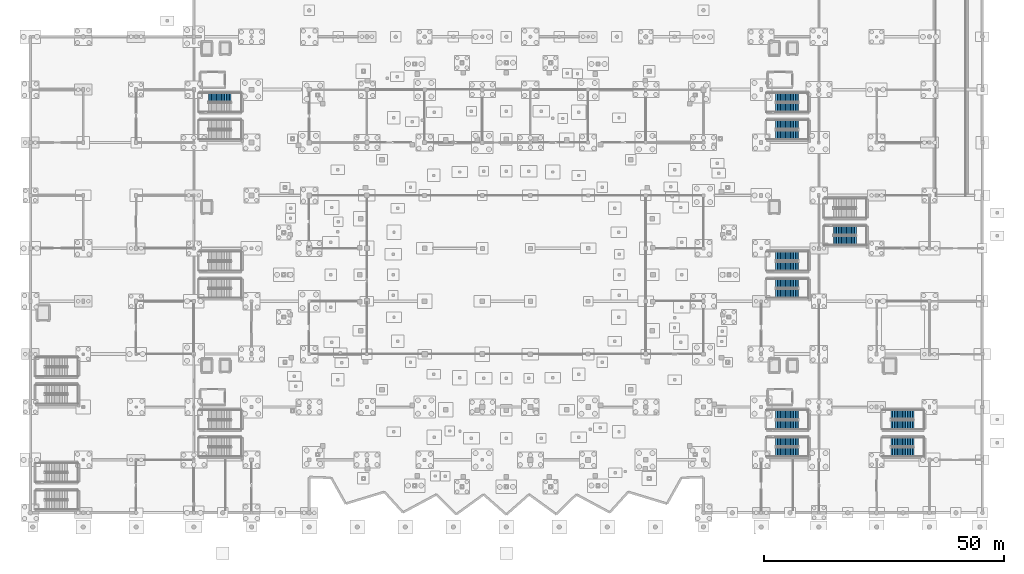
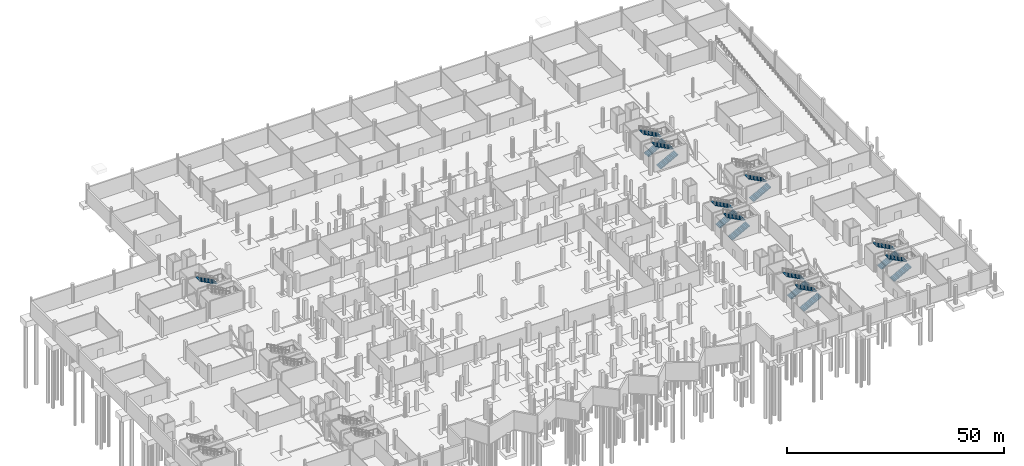
# One storey, part 45 of 60: 19 stair flights, 10 elements without a shape of their own.
"""IFC4 building model written with IfcOpenShell, lengths in metres."""

from ifc_helpers import new_model, si_unit, direction, frame, origin, place, context, subcontext, project, spatial, polyline, outline, extrude, material, layer, layer_set, type_object, element, aggregate, save


model = new_model("IFC4")

# Units and contexts
model_context = context("Model", 3, precision=1e-05, world=origin(), true_north=direction((0.0, 1.0)))
body_context = subcontext(model_context, "Body", "Model", "MODEL_VIEW")
ifc_project = project(units=[si_unit("LENGTHUNIT", "METRE"), si_unit("AREAUNIT", "SQUARE_METRE"), si_unit("VOLUMEUNIT", "CUBIC_METRE"), si_unit("PLANEANGLEUNIT", "RADIAN"), si_unit("MASSUNIT", "GRAM", prefix="KILO")], contexts=[model_context])

# Site, building, storey
site_placement = place(None, origin())
site = spatial("IfcSite", under=ifc_project, at=site_placement, CompositionType="ELEMENT")
building_placement = place(site_placement, origin())
building = spatial("IfcBuilding", under=site, at=building_placement, Name="Luwafu Chhajja Arena", CompositionType="ELEMENT")
storey_placement = place(building_placement, frame((0.0, 0.0, -5.39990234375)))
storey = spatial("IfcBuildingStorey", under=building, at=storey_placement, Name="B1", CompositionType="ELEMENT", Elevation=-5.39990234375)

# Stair, stair flights
ifc_material = material(Name="Concrete C35/45", Category="concrete")
stair_type_1 = type_object("IfcStairType", Name="Wing Protected Dog-Leg Stair 1900", PredefinedType="HALF_TURN_STAIR", material=ifc_material)
stair_1_placement = place(storey_placement, origin())
stair_1 = element("IfcStair", 1, at=stair_1_placement, inside=storey, type_object=stair_type_1, Name="B1 Protected Escape Stair ST-15", PredefinedType="HALF_TURN_STAIR")
ifc_layer_1 = layer(ifc_material, 0.1650390625, Name="Concrete C35/45")
ifc_layer_set_1 = layer_set([ifc_layer_1], Name="Concrete C35/45")
stair_flight_type_1 = type_object("IfcStairFlightType", Name="RC Escape Stair Flight 1900", PredefinedType="STRAIGHT", material=ifc_layer_set_1)
stair_flight_1_placement = place(storey_placement, frame((179.0, 12.60009765625, 0.0), z_axis=(0.0, 0.0, 1.0), x_axis=(1.0, 0.0, 0.0)))
stair_flight_1 = element("IfcStairFlight", 2, at=stair_flight_1_placement, type_object=stair_flight_type_1, Name="ST-15 flight 1", NumberOfRisers=15, NumberOfTreads=14, PredefinedType="STRAIGHT", RiserHeight=0.18, TreadLength=0.34, context=body_context, shape_type="SweptSolid", body=[
    extrude(outline(polyline([(0.0, 0.0), (0.0, 0.179931640625), (0.340087890625, 0.179931640625), (0.340087890625, 0.360107421875), (0.679931640625, 0.360107421875), (0.679931640625, 0.5400390625), (1.02001953125, 0.5400390625), (1.02001953125, 0.719970703125), (1.360107421875, 0.719970703125), (1.360107421875, 0.89990234375), (1.699951171875, 0.89990234375), (1.699951171875, 1.080078125), (2.0400390625, 1.080078125), (2.0400390625, 1.260009765625), (2.3798828125, 1.260009765625), (2.3798828125, 1.43994140625), (2.719970703125, 1.43994140625), (2.719970703125, 1.6201171875), (3.06005859375, 1.6201171875), (3.06005859375, 1.800048828125), (3.39990234375, 1.800048828125), (3.39990234375, 1.97998046875), (3.739990234375, 1.97998046875), (3.739990234375, 2.159912109375), (4.080078125, 2.159912109375), (4.080078125, 2.340087890625), (4.419921875, 2.340087890625), (4.419921875, 2.52001953125), (4.760009765625, 2.52001953125), (4.760009765625, 2.699951171875), (4.760009765625, 2.32763671875), (0.36328125, 0.0), (0.0, 0.0)])), frame((0.0, 0.949951171875, 0.0), z_axis=(0.0, -1.0, 0.0), x_axis=(1.0, 0.0, 0.0)), (0.0, 0.0, 1.0), 1.89990234375),
])
stair_flight_2_placement = place(storey_placement, frame((183.760009765625, 14.699951171875, 2.699951171875), z_axis=(0.0, 0.0, 1.0), x_axis=(-1.0, 0.0, 0.0)))
stair_flight_2 = element("IfcStairFlight", 3, at=stair_flight_2_placement, type_object=stair_flight_type_1, Name="ST-15 flight 2", NumberOfRisers=15, NumberOfTreads=14, PredefinedType="STRAIGHT", RiserHeight=0.18, TreadLength=0.34, context=body_context, shape_type="SweptSolid", body=[
    extrude(outline(polyline([(0.0, 0.0), (0.0, 0.179931640625), (0.340087890625, 0.179931640625), (0.340087890625, 0.360107421875), (0.679931640625, 0.360107421875), (0.679931640625, 0.5400390625), (1.02001953125, 0.5400390625), (1.02001953125, 0.719970703125), (1.360107421875, 0.719970703125), (1.360107421875, 0.89990234375), (1.699951171875, 0.89990234375), (1.699951171875, 1.080078125), (2.0400390625, 1.080078125), (2.0400390625, 1.260009765625), (2.3798828125, 1.260009765625), (2.3798828125, 1.43994140625), (2.719970703125, 1.43994140625), (2.719970703125, 1.6201171875), (3.06005859375, 1.6201171875), (3.06005859375, 1.800048828125), (3.39990234375, 1.800048828125), (3.39990234375, 1.97998046875), (3.739990234375, 1.97998046875), (3.739990234375, 2.159912109375), (4.080078125, 2.159912109375), (4.080078125, 2.340087890625), (4.419921875, 2.340087890625), (4.419921875, 2.52001953125), (4.760009765625, 2.52001953125), (4.760009765625, 2.699951171875), (4.760009765625, 2.32763671875), (0.36328125, 0.0), (0.0, 0.0)])), frame((0.0, 0.949951171875, 0.0), z_axis=(0.0, -1.0, 0.0), x_axis=(1.0, 0.0, 0.0)), (0.0, 0.0, 1.0), 1.89990234375),
])
aggregate(stair_1, [stair_flight_1, stair_flight_2])

stair_2_placement = place(storey_placement, origin())
stair_2 = element("IfcStair", 4, at=stair_2_placement, inside=storey, type_object=stair_type_1, Name="B1 Protected Escape Stair ST-16", PredefinedType="HALF_TURN_STAIR")
stair_flight_3_placement = place(storey_placement, frame((179.0, 18.300048828125, 0.0), z_axis=(0.0, 0.0, 1.0), x_axis=(1.0, 0.0, 0.0)))
stair_flight_3 = element("IfcStairFlight", 5, at=stair_flight_3_placement, type_object=stair_flight_type_1, Name="ST-16 flight 1", NumberOfRisers=15, NumberOfTreads=14, PredefinedType="STRAIGHT", RiserHeight=0.18, TreadLength=0.34, context=body_context, shape_type="SweptSolid", body=[
    extrude(outline(polyline([(0.0, 0.0), (0.0, 0.179931640625), (0.340087890625, 0.179931640625), (0.340087890625, 0.360107421875), (0.679931640625, 0.360107421875), (0.679931640625, 0.5400390625), (1.02001953125, 0.5400390625), (1.02001953125, 0.719970703125), (1.360107421875, 0.719970703125), (1.360107421875, 0.89990234375), (1.699951171875, 0.89990234375), (1.699951171875, 1.080078125), (2.0400390625, 1.080078125), (2.0400390625, 1.260009765625), (2.3798828125, 1.260009765625), (2.3798828125, 1.43994140625), (2.719970703125, 1.43994140625), (2.719970703125, 1.6201171875), (3.06005859375, 1.6201171875), (3.06005859375, 1.800048828125), (3.39990234375, 1.800048828125), (3.39990234375, 1.97998046875), (3.739990234375, 1.97998046875), (3.739990234375, 2.159912109375), (4.080078125, 2.159912109375), (4.080078125, 2.340087890625), (4.419921875, 2.340087890625), (4.419921875, 2.52001953125), (4.760009765625, 2.52001953125), (4.760009765625, 2.699951171875), (4.760009765625, 2.32763671875), (0.36328125, 0.0), (0.0, 0.0)])), frame((0.0, 0.949951171875, 0.0), z_axis=(0.0, -1.0, 0.0), x_axis=(1.0, 0.0, 0.0)), (0.0, 0.0, 1.0), 1.89990234375),
])
stair_flight_4_placement = place(storey_placement, frame((183.760009765625, 20.39990234375, 2.699951171875), z_axis=(0.0, 0.0, 1.0), x_axis=(-1.0, 0.0, 0.0)))
stair_flight_4 = element("IfcStairFlight", 6, at=stair_flight_4_placement, type_object=stair_flight_type_1, Name="ST-16 flight 2", NumberOfRisers=15, NumberOfTreads=14, PredefinedType="STRAIGHT", RiserHeight=0.18, TreadLength=0.34, context=body_context, shape_type="SweptSolid", body=[
    extrude(outline(polyline([(0.0, 0.0), (0.0, 0.179931640625), (0.340087890625, 0.179931640625), (0.340087890625, 0.360107421875), (0.679931640625, 0.360107421875), (0.679931640625, 0.5400390625), (1.02001953125, 0.5400390625), (1.02001953125, 0.719970703125), (1.360107421875, 0.719970703125), (1.360107421875, 0.89990234375), (1.699951171875, 0.89990234375), (1.699951171875, 1.080078125), (2.0400390625, 1.080078125), (2.0400390625, 1.260009765625), (2.3798828125, 1.260009765625), (2.3798828125, 1.43994140625), (2.719970703125, 1.43994140625), (2.719970703125, 1.6201171875), (3.06005859375, 1.6201171875), (3.06005859375, 1.800048828125), (3.39990234375, 1.800048828125), (3.39990234375, 1.97998046875), (3.739990234375, 1.97998046875), (3.739990234375, 2.159912109375), (4.080078125, 2.159912109375), (4.080078125, 2.340087890625), (4.419921875, 2.340087890625), (4.419921875, 2.52001953125), (4.760009765625, 2.52001953125), (4.760009765625, 2.699951171875), (4.760009765625, 2.32763671875), (0.36328125, 0.0), (0.0, 0.0)])), frame((0.0, 0.949951171875, 0.0), z_axis=(0.0, -1.0, 0.0), x_axis=(1.0, 0.0, 0.0)), (0.0, 0.0, 1.0), 1.89990234375),
])
aggregate(stair_2, [stair_flight_3, stair_flight_4])

stair_type_2 = type_object("IfcStairType", Name="Quadrant Protected Dog-Leg Stair 1920", PredefinedType="HALF_TURN_STAIR", material=ifc_material)
stair_3_placement = place(storey_placement, origin())
stair_3 = element("IfcStair", 7, at=stair_3_placement, inside=storey, type_object=stair_type_2, Name="B1 Protected Escape Stair ST-03", PredefinedType="HALF_TURN_STAIR")
ifc_layer_2 = layer(ifc_material, 0.169921875, Name="Concrete C35/45")
ifc_layer_set_2 = layer_set([ifc_layer_2], Name="Concrete C35/45")
stair_flight_type_2 = type_object("IfcStairFlightType", Name="RC Escape Stair Flight 1920", PredefinedType="STRAIGHT", material=ifc_layer_set_2)
stair_flight_5_placement = place(storey_placement, frame((155.02001953125, 12.610107421875, 0.0), z_axis=(0.0, 0.0, 1.0), x_axis=(1.0, 0.0, 0.0)))
stair_flight_5 = element("IfcStairFlight", 8, at=stair_flight_5_placement, type_object=stair_flight_type_2, Name="ST-03 flight 1", NumberOfRisers=15, NumberOfTreads=14, PredefinedType="STRAIGHT", RiserHeight=0.18, TreadLength=0.34, context=body_context, shape_type="SweptSolid", body=[
    extrude(outline(polyline([(0.0, 0.0), (0.0, 0.179931640625), (0.340087890625, 0.179931640625), (0.340087890625, 0.360107421875), (0.679931640625, 0.360107421875), (0.679931640625, 0.5400390625), (1.02001953125, 0.5400390625), (1.02001953125, 0.719970703125), (1.360107421875, 0.719970703125), (1.360107421875, 0.89990234375), (1.699951171875, 0.89990234375), (1.699951171875, 1.080078125), (2.0400390625, 1.080078125), (2.0400390625, 1.260009765625), (2.3798828125, 1.260009765625), (2.3798828125, 1.43994140625), (2.719970703125, 1.43994140625), (2.719970703125, 1.6201171875), (3.06005859375, 1.6201171875), (3.06005859375, 1.800048828125), (3.39990234375, 1.800048828125), (3.39990234375, 1.97998046875), (3.739990234375, 1.97998046875), (3.739990234375, 2.159912109375), (4.080078125, 2.159912109375), (4.080078125, 2.340087890625), (4.419921875, 2.340087890625), (4.419921875, 2.52001953125), (4.760009765625, 2.52001953125), (4.760009765625, 2.699951171875), (4.760009765625, 2.32763671875), (0.36328125, 0.0), (0.0, 0.0)])), frame((0.0, 0.9599609375, 0.0), z_axis=(0.0, -1.0, 0.0), x_axis=(1.0, 0.0, 0.0)), (0.0, 0.0, 1.0), 1.919921875),
])
stair_flight_6_placement = place(storey_placement, frame((159.780029296875, 14.72998046875, 2.699951171875), z_axis=(0.0, 0.0, 1.0), x_axis=(-1.0, 0.0, 0.0)))
stair_flight_6 = element("IfcStairFlight", 9, at=stair_flight_6_placement, type_object=stair_flight_type_2, Name="ST-03 flight 2", NumberOfRisers=15, NumberOfTreads=14, PredefinedType="STRAIGHT", RiserHeight=0.18, TreadLength=0.34, context=body_context, shape_type="SweptSolid", body=[
    extrude(outline(polyline([(0.0, 0.0), (0.0, 0.179931640625), (0.340087890625, 0.179931640625), (0.340087890625, 0.360107421875), (0.679931640625, 0.360107421875), (0.679931640625, 0.5400390625), (1.02001953125, 0.5400390625), (1.02001953125, 0.719970703125), (1.360107421875, 0.719970703125), (1.360107421875, 0.89990234375), (1.699951171875, 0.89990234375), (1.699951171875, 1.080078125), (2.0400390625, 1.080078125), (2.0400390625, 1.260009765625), (2.3798828125, 1.260009765625), (2.3798828125, 1.43994140625), (2.719970703125, 1.43994140625), (2.719970703125, 1.6201171875), (3.06005859375, 1.6201171875), (3.06005859375, 1.800048828125), (3.39990234375, 1.800048828125), (3.39990234375, 1.97998046875), (3.739990234375, 1.97998046875), (3.739990234375, 2.159912109375), (4.080078125, 2.159912109375), (4.080078125, 2.340087890625), (4.419921875, 2.340087890625), (4.419921875, 2.52001953125), (4.760009765625, 2.52001953125), (4.760009765625, 2.699951171875), (4.760009765625, 2.32763671875), (0.36328125, 0.0), (0.0, 0.0)])), frame((0.0, 0.9599609375, 0.0), z_axis=(0.0, -1.0, 0.0), x_axis=(1.0, 0.0, 0.0)), (0.0, 0.0, 1.0), 1.919921875),
])
aggregate(stair_3, [stair_flight_5, stair_flight_6])

stair_4_placement = place(storey_placement, origin())
stair_4 = element("IfcStair", 10, at=stair_4_placement, inside=storey, type_object=stair_type_2, Name="B1 Protected Escape Stair ST-04", PredefinedType="HALF_TURN_STAIR")
stair_flight_7_placement = place(storey_placement, frame((155.02001953125, 18.27001953125, 0.0), z_axis=(0.0, 0.0, 1.0), x_axis=(1.0, 0.0, 0.0)))
stair_flight_7 = element("IfcStairFlight", 11, at=stair_flight_7_placement, type_object=stair_flight_type_2, Name="ST-04 flight 1", NumberOfRisers=15, NumberOfTreads=14, PredefinedType="STRAIGHT", RiserHeight=0.18, TreadLength=0.34, context=body_context, shape_type="SweptSolid", body=[
    extrude(outline(polyline([(0.0, 0.0), (0.0, 0.179931640625), (0.340087890625, 0.179931640625), (0.340087890625, 0.360107421875), (0.679931640625, 0.360107421875), (0.679931640625, 0.5400390625), (1.02001953125, 0.5400390625), (1.02001953125, 0.719970703125), (1.360107421875, 0.719970703125), (1.360107421875, 0.89990234375), (1.699951171875, 0.89990234375), (1.699951171875, 1.080078125), (2.0400390625, 1.080078125), (2.0400390625, 1.260009765625), (2.3798828125, 1.260009765625), (2.3798828125, 1.43994140625), (2.719970703125, 1.43994140625), (2.719970703125, 1.6201171875), (3.06005859375, 1.6201171875), (3.06005859375, 1.800048828125), (3.39990234375, 1.800048828125), (3.39990234375, 1.97998046875), (3.739990234375, 1.97998046875), (3.739990234375, 2.159912109375), (4.080078125, 2.159912109375), (4.080078125, 2.340087890625), (4.419921875, 2.340087890625), (4.419921875, 2.52001953125), (4.760009765625, 2.52001953125), (4.760009765625, 2.699951171875), (4.760009765625, 2.32763671875), (0.36328125, 0.0), (0.0, 0.0)])), frame((0.0, 0.9599609375, 0.0), z_axis=(0.0, -1.0, 0.0), x_axis=(1.0, 0.0, 0.0)), (0.0, 0.0, 1.0), 1.919921875),
])
stair_flight_8_placement = place(storey_placement, frame((159.780029296875, 20.389892578125, 2.699951171875), z_axis=(0.0, 0.0, 1.0), x_axis=(-1.0, 0.0, 0.0)))
stair_flight_8 = element("IfcStairFlight", 12, at=stair_flight_8_placement, type_object=stair_flight_type_2, Name="ST-04 flight 2", NumberOfRisers=15, NumberOfTreads=14, PredefinedType="STRAIGHT", RiserHeight=0.18, TreadLength=0.34, context=body_context, shape_type="SweptSolid", body=[
    extrude(outline(polyline([(0.0, 0.0), (0.0, 0.179931640625), (0.340087890625, 0.179931640625), (0.340087890625, 0.360107421875), (0.679931640625, 0.360107421875), (0.679931640625, 0.5400390625), (1.02001953125, 0.5400390625), (1.02001953125, 0.719970703125), (1.360107421875, 0.719970703125), (1.360107421875, 0.89990234375), (1.699951171875, 0.89990234375), (1.699951171875, 1.080078125), (2.0400390625, 1.080078125), (2.0400390625, 1.260009765625), (2.3798828125, 1.260009765625), (2.3798828125, 1.43994140625), (2.719970703125, 1.43994140625), (2.719970703125, 1.6201171875), (3.06005859375, 1.6201171875), (3.06005859375, 1.800048828125), (3.39990234375, 1.800048828125), (3.39990234375, 1.97998046875), (3.739990234375, 1.97998046875), (3.739990234375, 2.159912109375), (4.080078125, 2.159912109375), (4.080078125, 2.340087890625), (4.419921875, 2.340087890625), (4.419921875, 2.52001953125), (4.760009765625, 2.52001953125), (4.760009765625, 2.699951171875), (4.760009765625, 2.32763671875), (0.36328125, 0.0), (0.0, 0.0)])), frame((0.0, 0.9599609375, 0.0), z_axis=(0.0, -1.0, 0.0), x_axis=(1.0, 0.0, 0.0)), (0.0, 0.0, 1.0), 1.919921875),
])
aggregate(stair_4, [stair_flight_7, stair_flight_8])

# Stair, stair flight
stair_5_placement = place(storey_placement, origin())
stair_5 = element("IfcStair", 13, at=stair_5_placement, inside=storey, type_object=stair_type_2, Name="B1 Protected Escape Stair ST-06", PredefinedType="HALF_TURN_STAIR")
stair_flight_9_placement = place(storey_placement, frame((41.780029296875, 86.389892578125, 2.699951171875), z_axis=(0.0, 0.0, 1.0), x_axis=(-1.0, 0.0, 0.0)))
stair_flight_9 = element("IfcStairFlight", 14, at=stair_flight_9_placement, type_object=stair_flight_type_2, Name="ST-06 flight 2", NumberOfRisers=15, NumberOfTreads=14, PredefinedType="STRAIGHT", RiserHeight=0.18, TreadLength=0.34, context=body_context, shape_type="SweptSolid", body=[
    extrude(outline(polyline([(0.0, 0.0), (0.0, 0.179931640625), (0.340087890625, 0.179931640625), (0.340087890625, 0.360107421875), (0.679931640625, 0.360107421875), (0.679931640625, 0.5400390625), (1.02001953125, 0.5400390625), (1.02001953125, 0.719970703125), (1.360107421875, 0.719970703125), (1.360107421875, 0.89990234375), (1.699951171875, 0.89990234375), (1.699951171875, 1.080078125), (2.0400390625, 1.080078125), (2.0400390625, 1.260009765625), (2.3798828125, 1.260009765625), (2.3798828125, 1.43994140625), (2.719970703125, 1.43994140625), (2.719970703125, 1.6201171875), (3.06005859375, 1.6201171875), (3.06005859375, 1.800048828125), (3.39990234375, 1.800048828125), (3.39990234375, 1.97998046875), (3.739990234375, 1.97998046875), (3.739990234375, 2.159912109375), (4.080078125, 2.159912109375), (4.080078125, 2.340087890625), (4.419921875, 2.340087890625), (4.419921875, 2.52001953125), (4.760009765625, 2.52001953125), (4.760009765625, 2.699951171875), (4.760009765625, 2.32763671875), (0.36328125, 0.0), (0.0, 0.0)])), frame((0.0, 0.9599609375, 0.0), z_axis=(0.0, -1.0, 0.0), x_axis=(1.0, 0.0, 0.0)), (0.0, 0.0, 1.0), 1.919921875),
])
aggregate(stair_5, [stair_flight_9])

# Stair, stair flights
stair_6_placement = place(storey_placement, origin())
stair_6 = element("IfcStair", 15, at=stair_6_placement, inside=storey, type_object=stair_type_2, Name="B1 Protected Escape Stair ST-07", PredefinedType="HALF_TURN_STAIR")
stair_flight_10_placement = place(storey_placement, frame((155.02001953125, 78.610107421875, 0.0), z_axis=(0.0, 0.0, 1.0), x_axis=(1.0, 0.0, 0.0)))
stair_flight_10 = element("IfcStairFlight", 16, at=stair_flight_10_placement, type_object=stair_flight_type_2, Name="ST-07 flight 1", NumberOfRisers=15, NumberOfTreads=14, PredefinedType="STRAIGHT", RiserHeight=0.18, TreadLength=0.34, context=body_context, shape_type="SweptSolid", body=[
    extrude(outline(polyline([(0.0, 0.0), (0.0, 0.179931640625), (0.340087890625, 0.179931640625), (0.340087890625, 0.360107421875), (0.679931640625, 0.360107421875), (0.679931640625, 0.5400390625), (1.02001953125, 0.5400390625), (1.02001953125, 0.719970703125), (1.360107421875, 0.719970703125), (1.360107421875, 0.89990234375), (1.699951171875, 0.89990234375), (1.699951171875, 1.080078125), (2.0400390625, 1.080078125), (2.0400390625, 1.260009765625), (2.3798828125, 1.260009765625), (2.3798828125, 1.43994140625), (2.719970703125, 1.43994140625), (2.719970703125, 1.6201171875), (3.06005859375, 1.6201171875), (3.06005859375, 1.800048828125), (3.39990234375, 1.800048828125), (3.39990234375, 1.97998046875), (3.739990234375, 1.97998046875), (3.739990234375, 2.159912109375), (4.080078125, 2.159912109375), (4.080078125, 2.340087890625), (4.419921875, 2.340087890625), (4.419921875, 2.52001953125), (4.760009765625, 2.52001953125), (4.760009765625, 2.699951171875), (4.760009765625, 2.32763671875), (0.36328125, 0.0), (0.0, 0.0)])), frame((0.0, 0.9599609375, 0.0), z_axis=(0.0, -1.0, 0.0), x_axis=(1.0, 0.0, 0.0)), (0.0, 0.0, 1.0), 1.919921875),
])
stair_flight_11_placement = place(storey_placement, frame((159.780029296875, 80.72998046875, 2.699951171875), z_axis=(0.0, 0.0, 1.0), x_axis=(-1.0, 0.0, 0.0)))
stair_flight_11 = element("IfcStairFlight", 17, at=stair_flight_11_placement, type_object=stair_flight_type_2, Name="ST-07 flight 2", NumberOfRisers=15, NumberOfTreads=14, PredefinedType="STRAIGHT", RiserHeight=0.18, TreadLength=0.34, context=body_context, shape_type="SweptSolid", body=[
    extrude(outline(polyline([(0.0, 0.0), (0.0, 0.179931640625), (0.340087890625, 0.179931640625), (0.340087890625, 0.360107421875), (0.679931640625, 0.360107421875), (0.679931640625, 0.5400390625), (1.02001953125, 0.5400390625), (1.02001953125, 0.719970703125), (1.360107421875, 0.719970703125), (1.360107421875, 0.89990234375), (1.699951171875, 0.89990234375), (1.699951171875, 1.080078125), (2.0400390625, 1.080078125), (2.0400390625, 1.260009765625), (2.3798828125, 1.260009765625), (2.3798828125, 1.43994140625), (2.719970703125, 1.43994140625), (2.719970703125, 1.6201171875), (3.06005859375, 1.6201171875), (3.06005859375, 1.800048828125), (3.39990234375, 1.800048828125), (3.39990234375, 1.97998046875), (3.739990234375, 1.97998046875), (3.739990234375, 2.159912109375), (4.080078125, 2.159912109375), (4.080078125, 2.340087890625), (4.419921875, 2.340087890625), (4.419921875, 2.52001953125), (4.760009765625, 2.52001953125), (4.760009765625, 2.699951171875), (4.760009765625, 2.32763671875), (0.36328125, 0.0), (0.0, 0.0)])), frame((0.0, 0.9599609375, 0.0), z_axis=(0.0, -1.0, 0.0), x_axis=(1.0, 0.0, 0.0)), (0.0, 0.0, 1.0), 1.919921875),
])
aggregate(stair_6, [stair_flight_10, stair_flight_11])

stair_7_placement = place(storey_placement, origin())
stair_7 = element("IfcStair", 18, at=stair_7_placement, inside=storey, type_object=stair_type_2, Name="B1 Protected Escape Stair ST-08", PredefinedType="HALF_TURN_STAIR")
stair_flight_12_placement = place(storey_placement, frame((155.02001953125, 84.27001953125, 0.0), z_axis=(0.0, 0.0, 1.0), x_axis=(1.0, 0.0, 0.0)))
stair_flight_12 = element("IfcStairFlight", 19, at=stair_flight_12_placement, type_object=stair_flight_type_2, Name="ST-08 flight 1", NumberOfRisers=15, NumberOfTreads=14, PredefinedType="STRAIGHT", RiserHeight=0.18, TreadLength=0.34, context=body_context, shape_type="SweptSolid", body=[
    extrude(outline(polyline([(0.0, 0.0), (0.0, 0.179931640625), (0.340087890625, 0.179931640625), (0.340087890625, 0.360107421875), (0.679931640625, 0.360107421875), (0.679931640625, 0.5400390625), (1.02001953125, 0.5400390625), (1.02001953125, 0.719970703125), (1.360107421875, 0.719970703125), (1.360107421875, 0.89990234375), (1.699951171875, 0.89990234375), (1.699951171875, 1.080078125), (2.0400390625, 1.080078125), (2.0400390625, 1.260009765625), (2.3798828125, 1.260009765625), (2.3798828125, 1.43994140625), (2.719970703125, 1.43994140625), (2.719970703125, 1.6201171875), (3.06005859375, 1.6201171875), (3.06005859375, 1.800048828125), (3.39990234375, 1.800048828125), (3.39990234375, 1.97998046875), (3.739990234375, 1.97998046875), (3.739990234375, 2.159912109375), (4.080078125, 2.159912109375), (4.080078125, 2.340087890625), (4.419921875, 2.340087890625), (4.419921875, 2.52001953125), (4.760009765625, 2.52001953125), (4.760009765625, 2.699951171875), (4.760009765625, 2.32763671875), (0.36328125, 0.0), (0.0, 0.0)])), frame((0.0, 0.9599609375, 0.0), z_axis=(0.0, -1.0, 0.0), x_axis=(1.0, 0.0, 0.0)), (0.0, 0.0, 1.0), 1.919921875),
])
stair_flight_13_placement = place(storey_placement, frame((159.780029296875, 86.389892578125, 2.699951171875), z_axis=(0.0, 0.0, 1.0), x_axis=(-1.0, 0.0, 0.0)))
stair_flight_13 = element("IfcStairFlight", 20, at=stair_flight_13_placement, type_object=stair_flight_type_2, Name="ST-08 flight 2", NumberOfRisers=15, NumberOfTreads=14, PredefinedType="STRAIGHT", RiserHeight=0.18, TreadLength=0.34, context=body_context, shape_type="SweptSolid", body=[
    extrude(outline(polyline([(0.0, 0.0), (0.0, 0.179931640625), (0.340087890625, 0.179931640625), (0.340087890625, 0.360107421875), (0.679931640625, 0.360107421875), (0.679931640625, 0.5400390625), (1.02001953125, 0.5400390625), (1.02001953125, 0.719970703125), (1.360107421875, 0.719970703125), (1.360107421875, 0.89990234375), (1.699951171875, 0.89990234375), (1.699951171875, 1.080078125), (2.0400390625, 1.080078125), (2.0400390625, 1.260009765625), (2.3798828125, 1.260009765625), (2.3798828125, 1.43994140625), (2.719970703125, 1.43994140625), (2.719970703125, 1.6201171875), (3.06005859375, 1.6201171875), (3.06005859375, 1.800048828125), (3.39990234375, 1.800048828125), (3.39990234375, 1.97998046875), (3.739990234375, 1.97998046875), (3.739990234375, 2.159912109375), (4.080078125, 2.159912109375), (4.080078125, 2.340087890625), (4.419921875, 2.340087890625), (4.419921875, 2.52001953125), (4.760009765625, 2.52001953125), (4.760009765625, 2.699951171875), (4.760009765625, 2.32763671875), (0.36328125, 0.0), (0.0, 0.0)])), frame((0.0, 0.9599609375, 0.0), z_axis=(0.0, -1.0, 0.0), x_axis=(1.0, 0.0, 0.0)), (0.0, 0.0, 1.0), 1.919921875),
])
aggregate(stair_7, [stair_flight_12, stair_flight_13])

stair_8_placement = place(storey_placement, origin())
stair_8 = element("IfcStair", 21, at=stair_8_placement, inside=storey, type_object=stair_type_2, Name="B1 Protected Escape Stair ST-11", PredefinedType="HALF_TURN_STAIR")
stair_flight_14_placement = place(storey_placement, frame((155.02001953125, 45.610107421875, 0.0), z_axis=(0.0, 0.0, 1.0), x_axis=(1.0, 0.0, 0.0)))
stair_flight_14 = element("IfcStairFlight", 22, at=stair_flight_14_placement, type_object=stair_flight_type_2, Name="ST-11 flight 1", NumberOfRisers=15, NumberOfTreads=14, PredefinedType="STRAIGHT", RiserHeight=0.18, TreadLength=0.34, context=body_context, shape_type="SweptSolid", body=[
    extrude(outline(polyline([(0.0, 0.0), (0.0, 0.179931640625), (0.340087890625, 0.179931640625), (0.340087890625, 0.360107421875), (0.679931640625, 0.360107421875), (0.679931640625, 0.5400390625), (1.02001953125, 0.5400390625), (1.02001953125, 0.719970703125), (1.360107421875, 0.719970703125), (1.360107421875, 0.89990234375), (1.699951171875, 0.89990234375), (1.699951171875, 1.080078125), (2.0400390625, 1.080078125), (2.0400390625, 1.260009765625), (2.3798828125, 1.260009765625), (2.3798828125, 1.43994140625), (2.719970703125, 1.43994140625), (2.719970703125, 1.6201171875), (3.06005859375, 1.6201171875), (3.06005859375, 1.800048828125), (3.39990234375, 1.800048828125), (3.39990234375, 1.97998046875), (3.739990234375, 1.97998046875), (3.739990234375, 2.159912109375), (4.080078125, 2.159912109375), (4.080078125, 2.340087890625), (4.419921875, 2.340087890625), (4.419921875, 2.52001953125), (4.760009765625, 2.52001953125), (4.760009765625, 2.699951171875), (4.760009765625, 2.32763671875), (0.36328125, 0.0), (0.0, 0.0)])), frame((0.0, 0.9599609375, 0.0), z_axis=(0.0, -1.0, 0.0), x_axis=(1.0, 0.0, 0.0)), (0.0, 0.0, 1.0), 1.919921875),
])
stair_flight_15_placement = place(storey_placement, frame((159.780029296875, 47.72998046875, 2.699951171875), z_axis=(0.0, 0.0, 1.0), x_axis=(-1.0, 0.0, 0.0)))
stair_flight_15 = element("IfcStairFlight", 23, at=stair_flight_15_placement, type_object=stair_flight_type_2, Name="ST-11 flight 2", NumberOfRisers=15, NumberOfTreads=14, PredefinedType="STRAIGHT", RiserHeight=0.18, TreadLength=0.34, context=body_context, shape_type="SweptSolid", body=[
    extrude(outline(polyline([(0.0, 0.0), (0.0, 0.179931640625), (0.340087890625, 0.179931640625), (0.340087890625, 0.360107421875), (0.679931640625, 0.360107421875), (0.679931640625, 0.5400390625), (1.02001953125, 0.5400390625), (1.02001953125, 0.719970703125), (1.360107421875, 0.719970703125), (1.360107421875, 0.89990234375), (1.699951171875, 0.89990234375), (1.699951171875, 1.080078125), (2.0400390625, 1.080078125), (2.0400390625, 1.260009765625), (2.3798828125, 1.260009765625), (2.3798828125, 1.43994140625), (2.719970703125, 1.43994140625), (2.719970703125, 1.6201171875), (3.06005859375, 1.6201171875), (3.06005859375, 1.800048828125), (3.39990234375, 1.800048828125), (3.39990234375, 1.97998046875), (3.739990234375, 1.97998046875), (3.739990234375, 2.159912109375), (4.080078125, 2.159912109375), (4.080078125, 2.340087890625), (4.419921875, 2.340087890625), (4.419921875, 2.52001953125), (4.760009765625, 2.52001953125), (4.760009765625, 2.699951171875), (4.760009765625, 2.32763671875), (0.36328125, 0.0), (0.0, 0.0)])), frame((0.0, 0.9599609375, 0.0), z_axis=(0.0, -1.0, 0.0), x_axis=(1.0, 0.0, 0.0)), (0.0, 0.0, 1.0), 1.919921875),
])
aggregate(stair_8, [stair_flight_14, stair_flight_15])

stair_9_placement = place(storey_placement, origin())
stair_9 = element("IfcStair", 24, at=stair_9_placement, inside=storey, type_object=stair_type_2, Name="B1 Protected Escape Stair ST-12", PredefinedType="HALF_TURN_STAIR")
stair_flight_16_placement = place(storey_placement, frame((155.02001953125, 51.27001953125, 0.0), z_axis=(0.0, 0.0, 1.0), x_axis=(1.0, 0.0, 0.0)))
stair_flight_16 = element("IfcStairFlight", 25, at=stair_flight_16_placement, type_object=stair_flight_type_2, Name="ST-12 flight 1", NumberOfRisers=15, NumberOfTreads=14, PredefinedType="STRAIGHT", RiserHeight=0.18, TreadLength=0.34, context=body_context, shape_type="SweptSolid", body=[
    extrude(outline(polyline([(0.0, 0.0), (0.0, 0.179931640625), (0.340087890625, 0.179931640625), (0.340087890625, 0.360107421875), (0.679931640625, 0.360107421875), (0.679931640625, 0.5400390625), (1.02001953125, 0.5400390625), (1.02001953125, 0.719970703125), (1.360107421875, 0.719970703125), (1.360107421875, 0.89990234375), (1.699951171875, 0.89990234375), (1.699951171875, 1.080078125), (2.0400390625, 1.080078125), (2.0400390625, 1.260009765625), (2.3798828125, 1.260009765625), (2.3798828125, 1.43994140625), (2.719970703125, 1.43994140625), (2.719970703125, 1.6201171875), (3.06005859375, 1.6201171875), (3.06005859375, 1.800048828125), (3.39990234375, 1.800048828125), (3.39990234375, 1.97998046875), (3.739990234375, 1.97998046875), (3.739990234375, 2.159912109375), (4.080078125, 2.159912109375), (4.080078125, 2.340087890625), (4.419921875, 2.340087890625), (4.419921875, 2.52001953125), (4.760009765625, 2.52001953125), (4.760009765625, 2.699951171875), (4.760009765625, 2.32763671875), (0.36328125, 0.0), (0.0, 0.0)])), frame((0.0, 0.9599609375, 0.0), z_axis=(0.0, -1.0, 0.0), x_axis=(1.0, 0.0, 0.0)), (0.0, 0.0, 1.0), 1.919921875),
])
stair_flight_17_placement = place(storey_placement, frame((159.780029296875, 53.389892578125, 2.699951171875), z_axis=(0.0, 0.0, 1.0), x_axis=(-1.0, 0.0, 0.0)))
stair_flight_17 = element("IfcStairFlight", 26, at=stair_flight_17_placement, type_object=stair_flight_type_2, Name="ST-12 flight 2", NumberOfRisers=15, NumberOfTreads=14, PredefinedType="STRAIGHT", RiserHeight=0.18, TreadLength=0.34, context=body_context, shape_type="SweptSolid", body=[
    extrude(outline(polyline([(0.0, 0.0), (0.0, 0.179931640625), (0.340087890625, 0.179931640625), (0.340087890625, 0.360107421875), (0.679931640625, 0.360107421875), (0.679931640625, 0.5400390625), (1.02001953125, 0.5400390625), (1.02001953125, 0.719970703125), (1.360107421875, 0.719970703125), (1.360107421875, 0.89990234375), (1.699951171875, 0.89990234375), (1.699951171875, 1.080078125), (2.0400390625, 1.080078125), (2.0400390625, 1.260009765625), (2.3798828125, 1.260009765625), (2.3798828125, 1.43994140625), (2.719970703125, 1.43994140625), (2.719970703125, 1.6201171875), (3.06005859375, 1.6201171875), (3.06005859375, 1.800048828125), (3.39990234375, 1.800048828125), (3.39990234375, 1.97998046875), (3.739990234375, 1.97998046875), (3.739990234375, 2.159912109375), (4.080078125, 2.159912109375), (4.080078125, 2.340087890625), (4.419921875, 2.340087890625), (4.419921875, 2.52001953125), (4.760009765625, 2.52001953125), (4.760009765625, 2.699951171875), (4.760009765625, 2.32763671875), (0.36328125, 0.0), (0.0, 0.0)])), frame((0.0, 0.9599609375, 0.0), z_axis=(0.0, -1.0, 0.0), x_axis=(1.0, 0.0, 0.0)), (0.0, 0.0, 1.0), 1.919921875),
])
aggregate(stair_9, [stair_flight_16, stair_flight_17])

stair_10_placement = place(storey_placement, origin())
stair_10 = element("IfcStair", 27, at=stair_10_placement, inside=storey, type_object=stair_type_2, Name="B1 Protected Escape Stair ST-19", PredefinedType="HALF_TURN_STAIR")
stair_flight_18_placement = place(storey_placement, frame((167.02001953125, 56.610107421875, 0.0), z_axis=(0.0, 0.0, 1.0), x_axis=(1.0, 0.0, 0.0)))
stair_flight_18 = element("IfcStairFlight", 28, at=stair_flight_18_placement, type_object=stair_flight_type_2, Name="ST-19 flight 1", NumberOfRisers=15, NumberOfTreads=14, PredefinedType="STRAIGHT", RiserHeight=0.18, TreadLength=0.34, context=body_context, shape_type="SweptSolid", body=[
    extrude(outline(polyline([(0.0, 0.0), (0.0, 0.179931640625), (0.340087890625, 0.179931640625), (0.340087890625, 0.360107421875), (0.679931640625, 0.360107421875), (0.679931640625, 0.5400390625), (1.02001953125, 0.5400390625), (1.02001953125, 0.719970703125), (1.360107421875, 0.719970703125), (1.360107421875, 0.89990234375), (1.699951171875, 0.89990234375), (1.699951171875, 1.080078125), (2.0400390625, 1.080078125), (2.0400390625, 1.260009765625), (2.3798828125, 1.260009765625), (2.3798828125, 1.43994140625), (2.719970703125, 1.43994140625), (2.719970703125, 1.6201171875), (3.06005859375, 1.6201171875), (3.06005859375, 1.800048828125), (3.39990234375, 1.800048828125), (3.39990234375, 1.97998046875), (3.739990234375, 1.97998046875), (3.739990234375, 2.159912109375), (4.080078125, 2.159912109375), (4.080078125, 2.340087890625), (4.419921875, 2.340087890625), (4.419921875, 2.52001953125), (4.760009765625, 2.52001953125), (4.760009765625, 2.699951171875), (4.760009765625, 2.32763671875), (0.36328125, 0.0), (0.0, 0.0)])), frame((0.0, 0.9599609375, 0.0), z_axis=(0.0, -1.0, 0.0), x_axis=(1.0, 0.0, 0.0)), (0.0, 0.0, 1.0), 1.919921875),
])
stair_flight_19_placement = place(storey_placement, frame((171.780029296875, 58.72998046875, 2.699951171875), z_axis=(0.0, 0.0, 1.0), x_axis=(-1.0, 0.0, 0.0)))
stair_flight_19 = element("IfcStairFlight", 29, at=stair_flight_19_placement, type_object=stair_flight_type_2, Name="ST-19 flight 2", NumberOfRisers=15, NumberOfTreads=14, PredefinedType="STRAIGHT", RiserHeight=0.18, TreadLength=0.34, context=body_context, shape_type="SweptSolid", body=[
    extrude(outline(polyline([(0.0, 0.0), (0.0, 0.179931640625), (0.340087890625, 0.179931640625), (0.340087890625, 0.360107421875), (0.679931640625, 0.360107421875), (0.679931640625, 0.5400390625), (1.02001953125, 0.5400390625), (1.02001953125, 0.719970703125), (1.360107421875, 0.719970703125), (1.360107421875, 0.89990234375), (1.699951171875, 0.89990234375), (1.699951171875, 1.080078125), (2.0400390625, 1.080078125), (2.0400390625, 1.260009765625), (2.3798828125, 1.260009765625), (2.3798828125, 1.43994140625), (2.719970703125, 1.43994140625), (2.719970703125, 1.6201171875), (3.06005859375, 1.6201171875), (3.06005859375, 1.800048828125), (3.39990234375, 1.800048828125), (3.39990234375, 1.97998046875), (3.739990234375, 1.97998046875), (3.739990234375, 2.159912109375), (4.080078125, 2.159912109375), (4.080078125, 2.340087890625), (4.419921875, 2.340087890625), (4.419921875, 2.52001953125), (4.760009765625, 2.52001953125), (4.760009765625, 2.699951171875), (4.760009765625, 2.32763671875), (0.36328125, 0.0), (0.0, 0.0)])), frame((0.0, 0.9599609375, 0.0), z_axis=(0.0, -1.0, 0.0), x_axis=(1.0, 0.0, 0.0)), (0.0, 0.0, 1.0), 1.919921875),
])
aggregate(stair_10, [stair_flight_18, stair_flight_19])

save(model, "model.ifc")
